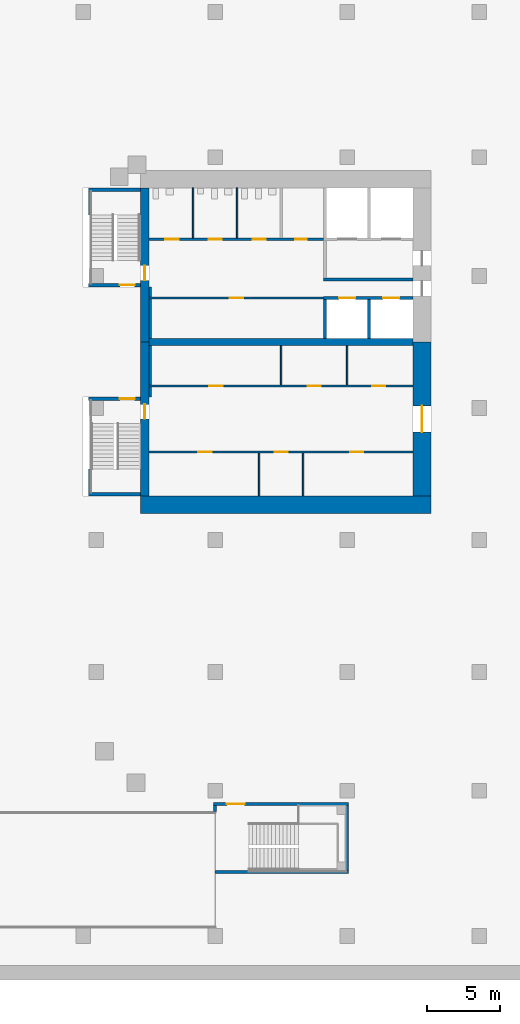
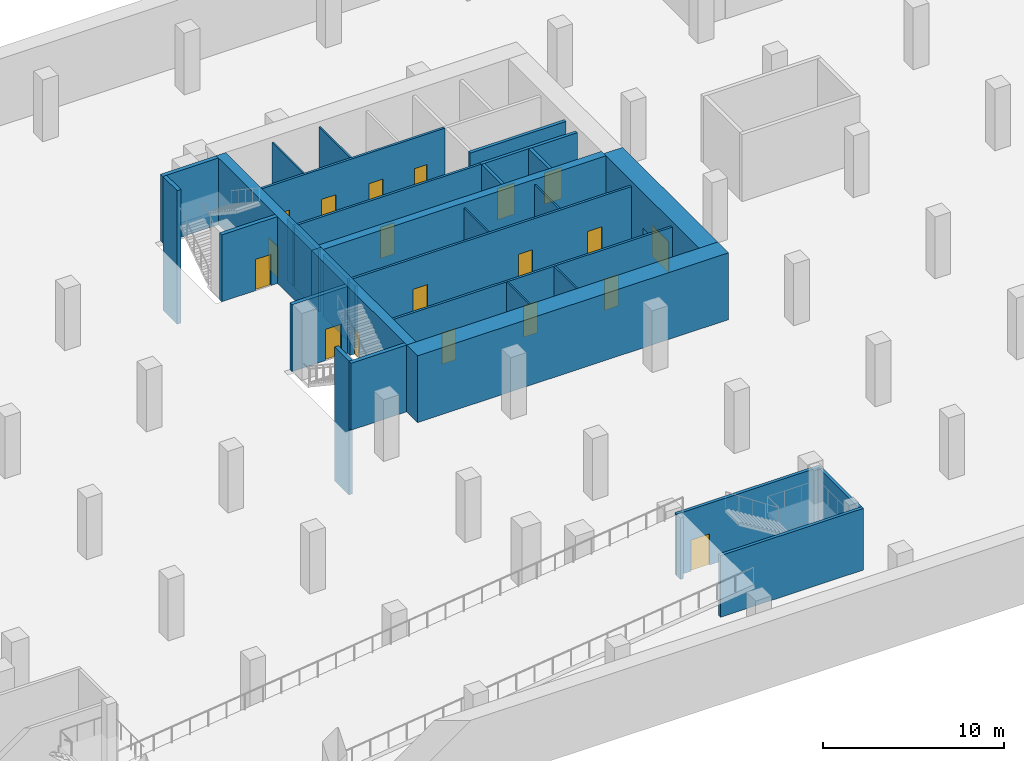
# One storey, part 7 of 16: 33 walls, 19 doors, 19 openings.
"""IFC4 building model written with IfcOpenShell, lengths in metres."""

import ifcopenshell
import ifcopenshell.guid

model = None  # the IFC model being written
_history = None  # IfcOwnerHistory: only IFC2X3 demands one
_inside = {}  # id of a spatial element -> (the spatial element, [elements in it])
_under = {}  # id of a project, library or spatial element -> (it, [spatial elements below it])
_declared = {}  # id of a project -> (the project, [libraries it declares])
_typed = {}  # id of a type object -> (the type object, [elements of that type])
_made_of = {}  # id of a material, layer set ... -> (it, [elements and type objects made of it])


def new_model(schema):
    """Start an empty IFC model of exactly this schema.

    Asked for "IFC4X3", IfcOpenShell would pick the latest addendum, in which some entities
    have other attributes; the version numbers below select the first issue.
    IFC2X3 requires an IfcOwnerHistory on every rooted entity: one is made here for all.
    """
    global model, _history
    if schema == "IFC4X3":
        model = ifcopenshell.file(schema_version=(4, 3, 0, 0))
    else:
        model = ifcopenshell.file(schema=schema)
    _inside.clear()
    _under.clear()
    _declared.clear()
    _typed.clear()
    _made_of.clear()
    _history = None
    if model.schema == "IFC2X3":
        org = make("IfcOrganization", Name="unknown")
        user = make(
            "IfcPersonAndOrganization",
            ThePerson=make("IfcPerson", FamilyName="unknown"),
            TheOrganization=org,
        )
        app = make(
            "IfcApplication",
            ApplicationDeveloper=org,
            Version="unknown",
            ApplicationFullName="unknown",
            ApplicationIdentifier="unknown",
        )
        _history = make(
            "IfcOwnerHistory",
            OwningUser=user,
            OwningApplication=app,
            ChangeAction="ADDED",
            CreationDate=0,
        )
    return model


def make(cls, **values):
    """One entity of the class cls with the attributes given. An attribute that is None is left unset."""
    return model.create_entity(
        cls, **{name: value for name, value in values.items() if value is not None}
    )


def rooted(cls, **values):
    """An entity with a GlobalId (a new one), such as an element, a storey or a relation."""
    return make(cls, GlobalId=ifcopenshell.guid.new(), OwnerHistory=_history, **values)


def si_unit(unit_type, name, prefix=None):
    """IfcSIUnit, for example si_unit("LENGTHUNIT", "METRE", prefix="MILLI")."""
    return make("IfcSIUnit", UnitType=unit_type, Prefix=prefix, Name=name)


def assignment(units):
    """IfcUnitAssignment: the units of a project."""
    return None if units is None else make("IfcUnitAssignment", Units=units)


def point(xyz):
    """IfcCartesianPoint."""
    return None if xyz is None else make("IfcCartesianPoint", Coordinates=xyz)


def direction(xyz):
    """IfcDirection."""
    return None if xyz is None else make("IfcDirection", DirectionRatios=xyz)


def frame(location, z_axis=None, x_axis=None):
    """IfcAxis2Placement3D, a coordinate frame: its origin and axes. An axis left out is left unset."""
    return make(
        "IfcAxis2Placement3D",
        Location=point(location),
        Axis=direction(z_axis),
        RefDirection=direction(x_axis),
    )


def frame_2d(location, x_axis=None):
    """IfcAxis2Placement2D, a coordinate frame in the plane: its origin and x axis."""
    return make(
        "IfcAxis2Placement2D", Location=point(location), RefDirection=direction(x_axis)
    )


def origin():
    """The frame at (0, 0, 0) with its axes left unset."""
    return frame((0.0, 0.0, 0.0))


def place(relative_to, where):
    """IfcLocalPlacement: puts the frame where relative to a parent placement (None: the world)."""
    return make(
        "IfcLocalPlacement", PlacementRelTo=relative_to, RelativePlacement=where
    )


def context(
    kind, dimensions, precision=None, world=None, true_north=None, identifier=None
):
    """IfcGeometricRepresentationContext, for example the 3D "Model" context."""
    return make(
        "IfcGeometricRepresentationContext",
        ContextIdentifier=identifier,
        ContextType=kind,
        CoordinateSpaceDimension=dimensions,
        Precision=precision,
        WorldCoordinateSystem=world,
        TrueNorth=true_north,
    )


def subcontext(parent, identifier, kind, view, scale=None):
    """IfcGeometricRepresentationSubContext, for example "Body" below "Model"."""
    return make(
        "IfcGeometricRepresentationSubContext",
        ContextIdentifier=identifier,
        ContextType=kind,
        ParentContext=parent,
        TargetScale=scale,
        TargetView=view,
    )


def project(units=None, contexts=None):
    """IfcProject with its units and contexts."""
    return rooted(
        "IfcProject",
        Name="project",
        RepresentationContexts=contexts,
        UnitsInContext=assignment(units),
    )


def spatial(cls, under=None, at=None, **own):
    """A site, building, storey or space (cls), placed at a placement, below another one or the project."""
    s = rooted(cls, ObjectPlacement=at, **own)
    if under is not None:
        _under.setdefault(under.id(), (under, []))[1].append(s)
    return s


def profile(cls, at=None, kind="AREA", **sizes):
    """A parametric profile (cls). Its sizes go by their IFC names, for example OverallWidth=200.0."""
    return make(cls, ProfileType=kind, Position=at, **sizes)


def rectangle(**sizes):
    """IfcRectangleProfileDef."""
    return profile("IfcRectangleProfileDef", **sizes)


def extrude(swept, where, along, depth):
    """IfcExtrudedAreaSolid: the profile swept, set in the frame where, extruded along a direction by depth."""
    return make(
        "IfcExtrudedAreaSolid",
        SweptArea=swept,
        Position=where,
        ExtrudedDirection=direction(along),
        Depth=depth,
    )


def shape(context_of_items, identifier, shape_type, items):
    """IfcShapeRepresentation: the items that make up one representation, for example the "Body"."""
    return make(
        "IfcShapeRepresentation",
        ContextOfItems=context_of_items,
        RepresentationIdentifier=identifier,
        RepresentationType=shape_type,
        Items=items,
    )


def material(Name=None, Category=None):
    """IfcMaterial."""
    return make("IfcMaterial", Name=Name, Category=Category)


def layer(
    of_material, thickness, ventilated=None, Name=None, Category=None, Priority=None
):
    """IfcMaterialLayer: one layer of a wall or slab, of a material (None: an air gap)."""
    return make(
        "IfcMaterialLayer",
        Material=of_material,
        LayerThickness=thickness,
        IsVentilated=ventilated,
        Name=Name,
        Category=Category,
        Priority=Priority,
    )


def layer_set(layers, Name=None):
    """IfcMaterialLayerSet."""
    return make("IfcMaterialLayerSet", MaterialLayers=layers, LayerSetName=Name)


def made_of(thing, what):
    """Note that an element or type object is made of a material, layer set ...; save() writes the relation."""
    if what is not None:
        _made_of.setdefault(what.id(), (what, []))[1].append(thing)
    return thing


def type_object(cls, material=None, **own):
    """A type object (cls), such as IfcWallType, which elements share."""
    return made_of(rooted(cls, **own), material)


def element(
    cls,
    number,
    at=None,
    inside=None,
    cuts=None,
    type_object=None,
    material=None,
    context=None,
    identifier="Body",
    shape_type=None,
    held_by="IfcProductDefinitionShape",
    body=None,
    shapes=None,
    **own,
):
    """One element of the class cls, such as IfcWall. Its Tag is "e" and its number.

    at: its placement. inside: the storey or other place that contains it. cuts: it is an
    opening in that element (IfcRelVoidsElement). A single representation is given by context,
    identifier, shape_type and body (its items); several are given by shapes. held_by: the class
    of the entity that holds the representations. save() writes the other relations.
    """
    e = rooted(cls, Tag="e%d" % number, ObjectPlacement=at, **own)
    if body is not None:
        shapes = [shape(context, identifier, shape_type, body)]
    if shapes is not None:
        e.Representation = make(held_by, Representations=shapes)
    if inside is not None:
        _inside.setdefault(inside.id(), (inside, []))[1].append(e)
    if cuts is not None:
        rooted(
            "IfcRelVoidsElement", RelatingBuildingElement=cuts, RelatedOpeningElement=e
        )
    if type_object is not None:
        _typed.setdefault(type_object.id(), (type_object, []))[1].append(e)
    return made_of(e, material)


def fill(opening, filler):
    """IfcRelFillsElement: the door or window that sits in an opening."""
    return rooted(
        "IfcRelFillsElement",
        RelatingOpeningElement=opening,
        RelatedBuildingElement=filler,
    )


def aggregate(whole, parts):
    """IfcRelAggregates: a whole, such as a stair, and the parts it consists of."""
    return rooted("IfcRelAggregates", RelatingObject=whole, RelatedObjects=parts)


def save(model, path):
    """Write the relations noted so far, then the file.

    IfcRelAggregates (storeys below a building ...), IfcRelContainedInSpatialStructure (elements
    in a storey), IfcRelDefinesByType, IfcRelAssociatesMaterial and IfcRelDeclares: one each for
    every whole, place, type object, material and project.
    """
    for whole, parts in _under.values():
        aggregate(whole, parts)
    for where, things in _inside.values():
        rooted(
            "IfcRelContainedInSpatialStructure",
            RelatedElements=things,
            RelatingStructure=where,
        )
    for kind, things in _typed.values():
        rooted("IfcRelDefinesByType", RelatedObjects=things, RelatingType=kind)
    for what, things in _made_of.values():
        rooted("IfcRelAssociatesMaterial", RelatedObjects=things, RelatingMaterial=what)
    for by, libraries in _declared.values():
        rooted("IfcRelDeclares", RelatingContext=by, RelatedDefinitions=libraries)
    model.write(path)


model = new_model("IFC4")

# Units and contexts
model_context = context("Model", 3, precision=1e-05, world=origin(), true_north=direction((0.0, 1.0)))
body_context = subcontext(model_context, "Body", "Model", "MODEL_VIEW")
ifc_project = project(units=[si_unit("LENGTHUNIT", "METRE"), si_unit("AREAUNIT", "SQUARE_METRE"), si_unit("VOLUMEUNIT", "CUBIC_METRE"), si_unit("PLANEANGLEUNIT", "RADIAN"), si_unit("MASSUNIT", "GRAM", prefix="KILO")], contexts=[model_context])

# Site, building, storey
site_placement = place(None, origin())
site = spatial("IfcSite", under=ifc_project, at=site_placement, CompositionType="ELEMENT")
building_placement = place(site_placement, origin())
building = spatial("IfcBuilding", under=site, at=building_placement, Name="Cinnabar Reach Civic Tower", CompositionType="ELEMENT")
storey_placement = place(building_placement, frame((0.0, 0.0, -9.5)))
storey = spatial("IfcBuildingStorey", under=building, at=storey_placement, Name="B2", CompositionType="ELEMENT", Elevation=-9.5)

# Wall
ifc_material_1 = material(Name="Concrete C70", Category="concrete")
ifc_layer_1 = layer(ifc_material_1, 1.2)
ifc_layer_set_1 = layer_set([ifc_layer_1], Name="Core wall 1200 EI 180")
wall_type_1 = type_object("IfcWallType", Name="Core wall 1200 EI 180", PredefinedType="SOLIDWALL", material=ifc_layer_set_1)
wall_1_placement = place(storey_placement, frame((3.9, 20.4, 0.0), z_axis=(0.0, 0.0, 1.0), x_axis=(1.0, 0.0, 0.0)))
element("IfcWall", 1, at=wall_1_placement, inside=storey, type_object=wall_type_1, Name="Core wall T1 B2 S", PredefinedType="SOLIDWALL", context=body_context, shape_type="SweptSolid", body=[
    extrude(rectangle(XDim=19.8, YDim=1.2, at=frame_2d((9.9, 0.0))), origin(), (0.0, 0.0, 1.0), 4.5),
])

# Wall, opening, door
wall_2_placement = place(storey_placement, frame((23.1, 21.0, 0.0), z_axis=(0.0, 0.0, 1.0), x_axis=(0.0, 1.0, 0.0)))
wall_2 = element("IfcWall", 2, at=wall_2_placement, inside=storey, type_object=wall_type_1, Name="Core wall T1 B2 E", PredefinedType="SOLIDWALL", context=body_context, shape_type="SweptSolid", body=[
    extrude(rectangle(XDim=10.5, YDim=1.2, at=frame_2d((5.25, 0.0))), origin(), (0.0, 0.0, 1.0), 4.5),
])
opening_1_placement = place(wall_2_placement, frame((4.35, 0.0, 0.0)))
opening_1 = element("IfcOpeningElement", 3, at=opening_1_placement, cuts=wall_2, Name="Opening D3026", PredefinedType="OPENING", context=body_context, shape_type="SweptSolid", body=[
    extrude(rectangle(XDim=1.8, YDim=2.1, at=frame_2d((0.9, 1.05))), frame((0.0, 0.61, 0.0), z_axis=(0.0, -1.0, 0.0), x_axis=(1.0, 0.0, 0.0)), (0.0, 0.0, 1.0), 1.22),
])
ifc_material_2 = material(Name="Timber door leaf in steel frame", Category="steel")
door_type_1 = type_object("IfcDoorType", Name="Double swing door 1800 x 2100 T1", OperationType="DOUBLE_DOOR_DOUBLE_SWING", PredefinedType="DOOR", material=ifc_material_2)
door_1_placement = place(opening_1_placement, frame((1.8, 0.0, 0.0), z_axis=(0.0, 0.0, 1.0), x_axis=(-1.0, 0.0, 0.0)))
door_1 = element("IfcDoor", 4, at=door_1_placement, inside=storey, type_object=door_type_1, Name="Door D3026", OperationType="DOUBLE_DOOR_DOUBLE_SWING", OverallHeight=2.1, OverallWidth=1.8, PredefinedType="DOOR", context=body_context, shape_type="SweptSolid", body=[
    extrude(rectangle(XDim=1.8, YDim=2.1, at=frame_2d((0.9, 1.05))), frame((0.0, 0.025, 0.0), z_axis=(0.0, -1.0, 0.0), x_axis=(1.0, 0.0, 0.0)), (0.0, 0.0, 1.0), 0.05),
])
fill(opening_1, door_1)

# Wall
ifc_material_3 = material(Name="Concrete C60", Category="concrete")
ifc_layer_2 = layer(ifc_material_3, 0.5)
ifc_layer_set_2 = layer_set([ifc_layer_2], Name="Core wall 500 EI 180")
wall_type_2 = type_object("IfcWallType", Name="Core wall 500 EI 180", PredefinedType="SOLIDWALL", material=ifc_layer_set_2)
wall_3_placement = place(storey_placement, frame((4.5, 31.5, 0.0), z_axis=(0.0, 0.0, 1.0), x_axis=(1.0, 0.0, 0.0)))
element("IfcWall", 5, at=wall_3_placement, inside=storey, type_object=wall_type_2, Name="Core spine wall T1 B2", PredefinedType="SOLIDWALL", context=body_context, shape_type="SweptSolid", body=[
    extrude(rectangle(XDim=18.0, YDim=0.5, at=frame_2d((9.0, 0.0))), origin(), (0.0, 0.0, 1.0), 4.5),
])

# Wall, opening, door
ifc_layer_3 = layer(ifc_material_1, 0.6)
ifc_layer_set_3 = layer_set([ifc_layer_3], Name="Core wall 600 EI 180")
wall_type_3 = type_object("IfcWallType", Name="Core wall 600 EI 180", PredefinedType="SOLIDWALL", material=ifc_layer_set_3)
wall_4_placement = place(storey_placement, frame((4.2, 42.0, 0.0), z_axis=(0.0, 0.0, 1.0), x_axis=(0.0, -1.0, 0.0)))
wall_4 = element("IfcWall", 6, at=wall_4_placement, inside=storey, type_object=wall_type_3, Name="Core wall T1 B2 W", PredefinedType="SOLIDWALL", context=body_context, shape_type="SweptSolid", body=[
    extrude(rectangle(XDim=10.5, YDim=0.6, at=frame_2d((5.25, 0.0))), origin(), (0.0, 0.0, 1.0), 4.5),
])
opening_2_placement = place(wall_4_placement, frame((5.3, 0.0, 0.0)))
opening_2 = element("IfcOpeningElement", 7, at=opening_2_placement, cuts=wall_4, Name="Opening D3020", PredefinedType="OPENING", context=body_context, shape_type="SweptSolid", body=[
    extrude(rectangle(XDim=1.0, YDim=2.1, at=frame_2d((0.5, 1.05))), frame((0.0, 0.31, 0.0), z_axis=(0.0, -1.0, 0.0), x_axis=(1.0, 0.0, 0.0)), (0.0, 0.0, 1.0), 0.62),
])
door_type_2 = type_object("IfcDoorType", Name="Stair door 1000 x 2100 T1", OperationType="SINGLE_SWING_LEFT", PredefinedType="DOOR", material=ifc_material_2)
door_2_placement = place(opening_2_placement, frame((1.0, 0.0, 0.0), z_axis=(0.0, 0.0, 1.0), x_axis=(-1.0, 0.0, 0.0)))
door_2 = element("IfcDoor", 8, at=door_2_placement, inside=storey, type_object=door_type_2, Name="Door D3020", OperationType="SINGLE_SWING_LEFT", OverallHeight=2.1, OverallWidth=1.0, PredefinedType="DOOR", context=body_context, shape_type="SweptSolid", body=[
    extrude(rectangle(XDim=1.0, YDim=2.1, at=frame_2d((0.5, 1.05))), frame((0.0, 0.025, 0.0), z_axis=(0.0, -1.0, 0.0), x_axis=(1.0, 0.0, 0.0)), (0.0, 0.0, 1.0), 0.05),
])
fill(opening_2, door_2)

wall_5_placement = place(storey_placement, frame((4.2, 31.5, 0.0), z_axis=(0.0, 0.0, 1.0), x_axis=(0.0, -1.0, 0.0)))
wall_5 = element("IfcWall", 9, at=wall_5_placement, inside=storey, type_object=wall_type_3, Name="Core wall T1 B2 W2", PredefinedType="SOLIDWALL", context=body_context, shape_type="SweptSolid", body=[
    extrude(rectangle(XDim=10.5, YDim=0.6, at=frame_2d((5.25, 0.0))), origin(), (0.0, 0.0, 1.0), 4.5),
])
opening_3_placement = place(wall_5_placement, frame((4.25, 0.0, 0.0)))
opening_3 = element("IfcOpeningElement", 10, at=opening_3_placement, cuts=wall_5, Name="Opening D3018", PredefinedType="OPENING", context=body_context, shape_type="SweptSolid", body=[
    extrude(rectangle(XDim=1.0, YDim=2.1, at=frame_2d((0.5, 1.05))), frame((0.0, 0.31, 0.0), z_axis=(0.0, -1.0, 0.0), x_axis=(1.0, 0.0, 0.0)), (0.0, 0.0, 1.0), 0.62),
])
door_3_placement = place(opening_3_placement, frame((1.0, 0.0, 0.0), z_axis=(0.0, 0.0, 1.0), x_axis=(-1.0, 0.0, 0.0)))
door_3 = element("IfcDoor", 11, at=door_3_placement, inside=storey, type_object=door_type_2, Name="Door D3018", OperationType="SINGLE_SWING_RIGHT", OverallHeight=2.1, OverallWidth=1.0, PredefinedType="DOOR", context=body_context, shape_type="SweptSolid", body=[
    extrude(rectangle(XDim=1.0, YDim=2.1, at=frame_2d((0.5, 1.05))), frame((0.0, 0.025, 0.0), z_axis=(0.0, -1.0, 0.0), x_axis=(1.0, 0.0, 0.0)), (0.0, 0.0, 1.0), 0.05),
])
fill(opening_3, door_3)

# Wall, openings, doors
ifc_material_4 = material(Name="Gypsum board on steel studs, double layer", Category="steel")
ifc_layer_4 = layer(ifc_material_4, 0.15)
ifc_layer_set_4 = layer_set([ifc_layer_4], Name="Corridor wall 150 T1")
wall_type_4 = type_object("IfcWallType", Name="Corridor wall 150 T1", PredefinedType="PARTITIONING", material=ifc_layer_set_4)
wall_6_placement = place(storey_placement, frame((4.5, 24.0, 0.0), z_axis=(0.0, 0.0, 1.0), x_axis=(1.0, 0.0, 0.0)))
wall_6 = element("IfcWall", 12, at=wall_6_placement, inside=storey, type_object=wall_type_4, Name="Corridor wall 9", PredefinedType="PARTITIONING", context=body_context, shape_type="SweptSolid", body=[
    extrude(rectangle(XDim=18.0, YDim=0.15, at=frame_2d((9.0, 0.0))), origin(), (0.0, 0.0, 1.0), 4.15),
])
opening_4_placement = place(wall_6_placement, frame((3.35, 0.0, 0.0)))
opening_4 = element("IfcOpeningElement", 13, at=opening_4_placement, cuts=wall_6, Name="Opening D3029", PredefinedType="OPENING", context=body_context, shape_type="SweptSolid", body=[
    extrude(rectangle(XDim=0.9, YDim=2.1, at=frame_2d((0.45, 1.05))), frame((0.0, 0.085, 0.0), z_axis=(0.0, -1.0, 0.0), x_axis=(1.0, 0.0, 0.0)), (0.0, 0.0, 1.0), 0.17),
])
opening_5_placement = place(wall_6_placement, frame((8.55, 0.0, 0.0)))
opening_5 = element("IfcOpeningElement", 14, at=opening_5_placement, cuts=wall_6, Name="Opening D3030", PredefinedType="OPENING", context=body_context, shape_type="SweptSolid", body=[
    extrude(rectangle(XDim=0.9, YDim=2.1, at=frame_2d((0.45, 1.05))), frame((0.0, 0.085, 0.0), z_axis=(0.0, -1.0, 0.0), x_axis=(1.0, 0.0, 0.0)), (0.0, 0.0, 1.0), 0.17),
])
opening_6_placement = place(wall_6_placement, frame((13.7, 0.0, 0.0)))
opening_6 = element("IfcOpeningElement", 15, at=opening_6_placement, cuts=wall_6, Name="Opening D3031", PredefinedType="OPENING", context=body_context, shape_type="SweptSolid", body=[
    extrude(rectangle(XDim=0.9, YDim=2.1, at=frame_2d((0.45, 1.05))), frame((0.0, 0.085, 0.0), z_axis=(0.0, -1.0, 0.0), x_axis=(1.0, 0.0, 0.0)), (0.0, 0.0, 1.0), 0.17),
])
door_type_3 = type_object("IfcDoorType", Name="Single swing door 900 x 2100 corridor T1", OperationType="SINGLE_SWING_LEFT", PredefinedType="DOOR", material=ifc_material_2)
door_4_placement = place(opening_4_placement, frame((0.9, 0.0, 0.0), z_axis=(0.0, 0.0, 1.0), x_axis=(-1.0, 0.0, 0.0)))
door_4 = element("IfcDoor", 16, at=door_4_placement, inside=storey, type_object=door_type_3, Name="Door D3029", OperationType="SINGLE_SWING_LEFT", OverallHeight=2.1, OverallWidth=0.9, PredefinedType="DOOR", context=body_context, shape_type="SweptSolid", body=[
    extrude(rectangle(XDim=0.9, YDim=2.1, at=frame_2d((0.45, 1.05))), frame((0.0, 0.025, 0.0), z_axis=(0.0, -1.0, 0.0), x_axis=(1.0, 0.0, 0.0)), (0.0, 0.0, 1.0), 0.05),
])
fill(opening_4, door_4)
door_5_placement = place(opening_5_placement, frame((0.9, 0.0, 0.0), z_axis=(0.0, 0.0, 1.0), x_axis=(-1.0, 0.0, 0.0)))
door_5 = element("IfcDoor", 17, at=door_5_placement, inside=storey, type_object=door_type_3, Name="Door D3030", OperationType="SINGLE_SWING_LEFT", OverallHeight=2.1, OverallWidth=0.9, PredefinedType="DOOR", context=body_context, shape_type="SweptSolid", body=[
    extrude(rectangle(XDim=0.9, YDim=2.1, at=frame_2d((0.45, 1.05))), frame((0.0, 0.025, 0.0), z_axis=(0.0, -1.0, 0.0), x_axis=(1.0, 0.0, 0.0)), (0.0, 0.0, 1.0), 0.05),
])
fill(opening_5, door_5)
door_6_placement = place(opening_6_placement, frame((0.9, 0.0, 0.0), z_axis=(0.0, 0.0, 1.0), x_axis=(-1.0, 0.0, 0.0)))
door_6 = element("IfcDoor", 18, at=door_6_placement, inside=storey, type_object=door_type_3, Name="Door D3031", OperationType="SINGLE_SWING_RIGHT", OverallHeight=2.1, OverallWidth=0.9, PredefinedType="DOOR", context=body_context, shape_type="SweptSolid", body=[
    extrude(rectangle(XDim=0.9, YDim=2.1, at=frame_2d((0.45, 1.05))), frame((0.0, 0.025, 0.0), z_axis=(0.0, -1.0, 0.0), x_axis=(1.0, 0.0, 0.0)), (0.0, 0.0, 1.0), 0.05),
])
fill(opening_6, door_6)

wall_7_placement = place(storey_placement, frame((4.5, 28.5, 0.0), z_axis=(0.0, 0.0, 1.0), x_axis=(1.0, 0.0, 0.0)))
wall_7 = element("IfcWall", 19, at=wall_7_placement, inside=storey, type_object=wall_type_4, Name="Corridor wall 10", PredefinedType="PARTITIONING", context=body_context, shape_type="SweptSolid", body=[
    extrude(rectangle(XDim=18.0, YDim=0.15, at=frame_2d((9.0, 0.0))), origin(), (0.0, 0.0, 1.0), 4.15),
])
opening_7_placement = place(wall_7_placement, frame((4.1, 0.0, 0.0)))
opening_7 = element("IfcOpeningElement", 20, at=opening_7_placement, cuts=wall_7, Name="Opening D3032", PredefinedType="OPENING", context=body_context, shape_type="SweptSolid", body=[
    extrude(rectangle(XDim=0.9, YDim=2.1, at=frame_2d((0.45, 1.05))), frame((0.0, 0.085, 0.0), z_axis=(0.0, -1.0, 0.0), x_axis=(1.0, 0.0, 0.0)), (0.0, 0.0, 1.0), 0.17),
])
opening_8_placement = place(wall_7_placement, frame((10.8, 0.0, 0.0)))
opening_8 = element("IfcOpeningElement", 21, at=opening_8_placement, cuts=wall_7, Name="Opening D3033", PredefinedType="OPENING", context=body_context, shape_type="SweptSolid", body=[
    extrude(rectangle(XDim=0.9, YDim=2.1, at=frame_2d((0.45, 1.05))), frame((0.0, 0.085, 0.0), z_axis=(0.0, -1.0, 0.0), x_axis=(1.0, 0.0, 0.0)), (0.0, 0.0, 1.0), 0.17),
])
opening_9_placement = place(wall_7_placement, frame((15.2, 0.0, 0.0)))
opening_9 = element("IfcOpeningElement", 22, at=opening_9_placement, cuts=wall_7, Name="Opening D3034", PredefinedType="OPENING", context=body_context, shape_type="SweptSolid", body=[
    extrude(rectangle(XDim=0.9, YDim=2.1, at=frame_2d((0.45, 1.05))), frame((0.0, 0.085, 0.0), z_axis=(0.0, -1.0, 0.0), x_axis=(1.0, 0.0, 0.0)), (0.0, 0.0, 1.0), 0.17),
])
door_7_placement = place(opening_7_placement, origin())
door_7 = element("IfcDoor", 23, at=door_7_placement, inside=storey, type_object=door_type_3, Name="Door D3032", OperationType="SINGLE_SWING_RIGHT", OverallHeight=2.1, OverallWidth=0.9, PredefinedType="DOOR", context=body_context, shape_type="SweptSolid", body=[
    extrude(rectangle(XDim=0.9, YDim=2.1, at=frame_2d((0.45, 1.05))), frame((0.0, 0.025, 0.0), z_axis=(0.0, -1.0, 0.0), x_axis=(1.0, 0.0, 0.0)), (0.0, 0.0, 1.0), 0.05),
])
fill(opening_7, door_7)
door_8_placement = place(opening_8_placement, origin())
door_8 = element("IfcDoor", 24, at=door_8_placement, inside=storey, type_object=door_type_3, Name="Door D3033", OperationType="SINGLE_SWING_RIGHT", OverallHeight=2.1, OverallWidth=0.9, PredefinedType="DOOR", context=body_context, shape_type="SweptSolid", body=[
    extrude(rectangle(XDim=0.9, YDim=2.1, at=frame_2d((0.45, 1.05))), frame((0.0, 0.025, 0.0), z_axis=(0.0, -1.0, 0.0), x_axis=(1.0, 0.0, 0.0)), (0.0, 0.0, 1.0), 0.05),
])
fill(opening_8, door_8)
door_9_placement = place(opening_9_placement, origin())
door_9 = element("IfcDoor", 25, at=door_9_placement, inside=storey, type_object=door_type_3, Name="Door D3034", OperationType="SINGLE_SWING_RIGHT", OverallHeight=2.1, OverallWidth=0.9, PredefinedType="DOOR", context=body_context, shape_type="SweptSolid", body=[
    extrude(rectangle(XDim=0.9, YDim=2.1, at=frame_2d((0.45, 1.05))), frame((0.0, 0.025, 0.0), z_axis=(0.0, -1.0, 0.0), x_axis=(1.0, 0.0, 0.0)), (0.0, 0.0, 1.0), 0.05),
])
fill(opening_9, door_9)

# Wall, opening, door
wall_8_placement = place(storey_placement, frame((4.5, 34.5, 0.0), z_axis=(0.0, 0.0, 1.0), x_axis=(1.0, 0.0, 0.0)))
wall_8 = element("IfcWall", 26, at=wall_8_placement, inside=storey, type_object=wall_type_4, Name="Corridor wall 11", PredefinedType="PARTITIONING", context=body_context, shape_type="SweptSolid", body=[
    extrude(rectangle(XDim=11.9, YDim=0.15, at=frame_2d((5.95, 0.0))), origin(), (0.0, 0.0, 1.0), 4.15),
])
opening_10_placement = place(wall_8_placement, frame((5.5, 0.0, 0.0)))
opening_10 = element("IfcOpeningElement", 27, at=opening_10_placement, cuts=wall_8, Name="Opening D3035", PredefinedType="OPENING", context=body_context, shape_type="SweptSolid", body=[
    extrude(rectangle(XDim=0.9, YDim=2.1, at=frame_2d((0.45, 1.05))), frame((0.0, 0.085, 0.0), z_axis=(0.0, -1.0, 0.0), x_axis=(1.0, 0.0, 0.0)), (0.0, 0.0, 1.0), 0.17),
])
door_10_placement = place(opening_10_placement, frame((0.9, 0.0, 0.0), z_axis=(0.0, 0.0, 1.0), x_axis=(-1.0, 0.0, 0.0)))
door_10 = element("IfcDoor", 28, at=door_10_placement, inside=storey, type_object=door_type_3, Name="Door D3035", OperationType="SINGLE_SWING_RIGHT", OverallHeight=2.1, OverallWidth=0.9, PredefinedType="DOOR", context=body_context, shape_type="SweptSolid", body=[
    extrude(rectangle(XDim=0.9, YDim=2.1, at=frame_2d((0.45, 1.05))), frame((0.0, 0.025, 0.0), z_axis=(0.0, -1.0, 0.0), x_axis=(1.0, 0.0, 0.0)), (0.0, 0.0, 1.0), 0.05),
])
fill(opening_10, door_10)

# Wall, openings, doors
wall_9_placement = place(storey_placement, frame((4.5, 38.5, 0.0), z_axis=(0.0, 0.0, 1.0), x_axis=(1.0, 0.0, 0.0)))
wall_9 = element("IfcWall", 29, at=wall_9_placement, inside=storey, type_object=wall_type_4, Name="Corridor wall 12", PredefinedType="PARTITIONING", context=body_context, shape_type="SweptSolid", body=[
    extrude(rectangle(XDim=11.9, YDim=0.15, at=frame_2d((5.95, 0.0))), origin(), (0.0, 0.0, 1.0), 4.15),
])
opening_11_placement = place(wall_9_placement, frame((1.1, 0.0, 0.0)))
opening_11 = element("IfcOpeningElement", 30, at=opening_11_placement, cuts=wall_9, Name="Opening D3036", PredefinedType="OPENING", context=body_context, shape_type="SweptSolid", body=[
    extrude(rectangle(XDim=0.9, YDim=2.1, at=frame_2d((0.45, 1.05))), frame((0.0, 0.085, 0.0), z_axis=(0.0, -1.0, 0.0), x_axis=(1.0, 0.0, 0.0)), (0.0, 0.0, 1.0), 0.17),
])
opening_12_placement = place(wall_9_placement, frame((4.05, 0.0, 0.0)))
opening_12 = element("IfcOpeningElement", 31, at=opening_12_placement, cuts=wall_9, Name="Opening D3037", PredefinedType="OPENING", context=body_context, shape_type="SweptSolid", body=[
    extrude(rectangle(XDim=0.9, YDim=2.1, at=frame_2d((0.45, 1.05))), frame((0.0, 0.085, 0.0), z_axis=(0.0, -1.0, 0.0), x_axis=(1.0, 0.0, 0.0)), (0.0, 0.0, 1.0), 0.17),
])
opening_13_placement = place(wall_9_placement, frame((7.05, 0.0, 0.0)))
opening_13 = element("IfcOpeningElement", 32, at=opening_13_placement, cuts=wall_9, Name="Opening D3038", PredefinedType="OPENING", context=body_context, shape_type="SweptSolid", body=[
    extrude(rectangle(XDim=0.9, YDim=2.1, at=frame_2d((0.45, 1.05))), frame((0.0, 0.085, 0.0), z_axis=(0.0, -1.0, 0.0), x_axis=(1.0, 0.0, 0.0)), (0.0, 0.0, 1.0), 0.17),
])
opening_14_placement = place(wall_9_placement, frame((9.95, 0.0, 0.0)))
opening_14 = element("IfcOpeningElement", 33, at=opening_14_placement, cuts=wall_9, Name="Opening D3039", PredefinedType="OPENING", context=body_context, shape_type="SweptSolid", body=[
    extrude(rectangle(XDim=0.8, YDim=2.1, at=frame_2d((0.4, 1.05))), frame((0.0, 0.085, 0.0), z_axis=(0.0, -1.0, 0.0), x_axis=(1.0, 0.0, 0.0)), (0.0, 0.0, 1.0), 0.17),
])
door_type_4 = type_object("IfcDoorType", Name="Riser access door 800 x 2100 T1", OperationType="SINGLE_SWING_LEFT", PredefinedType="DOOR", material=ifc_material_2)
door_11_placement = place(opening_14_placement, origin())
door_11 = element("IfcDoor", 34, at=door_11_placement, inside=storey, type_object=door_type_4, Name="Door D3039", OperationType="SINGLE_SWING_LEFT", OverallHeight=2.1, OverallWidth=0.8, PredefinedType="DOOR", context=body_context, shape_type="SweptSolid", body=[
    extrude(rectangle(XDim=0.8, YDim=2.1, at=frame_2d((0.4, 1.05))), frame((0.0, 0.025, 0.0), z_axis=(0.0, -1.0, 0.0), x_axis=(1.0, 0.0, 0.0)), (0.0, 0.0, 1.0), 0.05),
])
fill(opening_14, door_11)
door_12_placement = place(opening_11_placement, origin())
door_12 = element("IfcDoor", 35, at=door_12_placement, inside=storey, type_object=door_type_3, Name="Door D3036", OperationType="SINGLE_SWING_RIGHT", OverallHeight=2.1, OverallWidth=0.9, PredefinedType="DOOR", context=body_context, shape_type="SweptSolid", body=[
    extrude(rectangle(XDim=0.9, YDim=2.1, at=frame_2d((0.45, 1.05))), frame((0.0, 0.025, 0.0), z_axis=(0.0, -1.0, 0.0), x_axis=(1.0, 0.0, 0.0)), (0.0, 0.0, 1.0), 0.05),
])
fill(opening_11, door_12)
door_13_placement = place(opening_12_placement, origin())
door_13 = element("IfcDoor", 36, at=door_13_placement, inside=storey, type_object=door_type_3, Name="Door D3037", OperationType="SINGLE_SWING_LEFT", OverallHeight=2.1, OverallWidth=0.9, PredefinedType="DOOR", context=body_context, shape_type="SweptSolid", body=[
    extrude(rectangle(XDim=0.9, YDim=2.1, at=frame_2d((0.45, 1.05))), frame((0.0, 0.025, 0.0), z_axis=(0.0, -1.0, 0.0), x_axis=(1.0, 0.0, 0.0)), (0.0, 0.0, 1.0), 0.05),
])
fill(opening_12, door_13)
door_14_placement = place(opening_13_placement, origin())
door_14 = element("IfcDoor", 37, at=door_14_placement, inside=storey, type_object=door_type_3, Name="Door D3038", OperationType="SINGLE_SWING_RIGHT", OverallHeight=2.1, OverallWidth=0.9, PredefinedType="DOOR", context=body_context, shape_type="SweptSolid", body=[
    extrude(rectangle(XDim=0.9, YDim=2.1, at=frame_2d((0.45, 1.05))), frame((0.0, 0.025, 0.0), z_axis=(0.0, -1.0, 0.0), x_axis=(1.0, 0.0, 0.0)), (0.0, 0.0, 1.0), 0.05),
])
fill(opening_13, door_14)

# Walls
wall_10_placement = place(storey_placement, frame((4.575, 34.575, 0.0), z_axis=(0.0, 0.0, 1.0), x_axis=(0.0, 1.0, 0.0)))
element("IfcWall", 38, at=wall_10_placement, inside=storey, type_object=wall_type_4, Name="Corridor wall 13", PredefinedType="PARTITIONING", context=body_context, shape_type="SweptSolid", body=[
    extrude(rectangle(XDim=0.675, YDim=0.15, at=frame_2d((0.3375, 0.0))), origin(), (0.0, 0.0, 1.0), 4.15),
])
wall_11_placement = place(storey_placement, frame((4.575, 31.75, 0.0), z_axis=(0.0, 0.0, 1.0), x_axis=(0.0, 1.0, 0.0)))
element("IfcWall", 39, at=wall_11_placement, inside=storey, type_object=wall_type_4, Name="Corridor wall 14", PredefinedType="PARTITIONING", context=body_context, shape_type="SweptSolid", body=[
    extrude(rectangle(XDim=2.675, YDim=0.15, at=frame_2d((1.3375, 0.0))), origin(), (0.0, 0.0, 1.0), 4.15),
])
wall_12_placement = place(storey_placement, frame((4.575, 27.75, 0.0), z_axis=(0.0, 0.0, 1.0), x_axis=(0.0, 1.0, 0.0)))
element("IfcWall", 40, at=wall_12_placement, inside=storey, type_object=wall_type_4, Name="Corridor wall 15", PredefinedType="PARTITIONING", context=body_context, shape_type="SweptSolid", body=[
    extrude(rectangle(XDim=0.675, YDim=0.15, at=frame_2d((0.3375, 0.0))), origin(), (0.0, 0.0, 1.0), 4.15),
])
wall_13_placement = place(storey_placement, frame((4.575, 28.575, 0.0), z_axis=(0.0, 0.0, 1.0), x_axis=(0.0, 1.0, 0.0)))
element("IfcWall", 41, at=wall_13_placement, inside=storey, type_object=wall_type_4, Name="Corridor wall 16", PredefinedType="PARTITIONING", context=body_context, shape_type="SweptSolid", body=[
    extrude(rectangle(XDim=2.675, YDim=0.15, at=frame_2d((1.3375, 0.0))), origin(), (0.0, 0.0, 1.0), 4.15),
])

# Wall, openings, doors
ifc_material_5 = material(Name="Blockwork", Category="masonry")
ifc_layer_5 = layer(ifc_material_5, 0.2)
ifc_layer_set_5 = layer_set([ifc_layer_5], Name="Lift shaft wall 200 T1")
wall_type_5 = type_object("IfcWallType", Name="Lift shaft wall 200 T1", PredefinedType="PARTITIONING", material=ifc_layer_set_5)
wall_14_placement = place(storey_placement, frame((16.4, 34.5, 0.0), z_axis=(0.0, 0.0, 1.0), x_axis=(1.0, 0.0, 0.0)))
wall_14 = element("IfcWall", 42, at=wall_14_placement, inside=storey, type_object=wall_type_5, Name="Lift shaft wall 4", PredefinedType="PARTITIONING", context=body_context, shape_type="SweptSolid", body=[
    extrude(rectangle(XDim=6.1, YDim=0.2, at=frame_2d((3.05, 0.0))), origin(), (0.0, 0.0, 1.0), 4.15),
])
opening_15_placement = place(wall_14_placement, frame((1.05, 0.0, 0.0)))
opening_15 = element("IfcOpeningElement", 43, at=opening_15_placement, cuts=wall_14, Name="Opening D3022", PredefinedType="OPENING", context=body_context, shape_type="SweptSolid", body=[
    extrude(rectangle(XDim=1.1, YDim=2.1, at=frame_2d((0.55, 1.05))), frame((0.0, 0.11, 0.0), z_axis=(0.0, -1.0, 0.0), x_axis=(1.0, 0.0, 0.0)), (0.0, 0.0, 1.0), 0.22),
])
opening_16_placement = place(wall_14_placement, frame((4.05, 0.0, 0.0)))
opening_16 = element("IfcOpeningElement", 44, at=opening_16_placement, cuts=wall_14, Name="Opening D3023", PredefinedType="OPENING", context=body_context, shape_type="SweptSolid", body=[
    extrude(rectangle(XDim=1.1, YDim=2.1, at=frame_2d((0.55, 1.05))), frame((0.0, 0.11, 0.0), z_axis=(0.0, -1.0, 0.0), x_axis=(1.0, 0.0, 0.0)), (0.0, 0.0, 1.0), 0.22),
])
ifc_material_6 = material(Name="Stainless steel sliding door", Category="steel")
door_type_5 = type_object("IfcDoorType", Name="Lift landing door 1100 x 2100 T1", OperationType="SLIDING_TO_LEFT", PredefinedType="DOOR", material=ifc_material_6)
door_15_placement = place(opening_15_placement, origin())
door_15 = element("IfcDoor", 45, at=door_15_placement, inside=storey, type_object=door_type_5, Name="Lift landing door SV1 B2", OperationType="SLIDING_TO_LEFT", OverallHeight=2.1, OverallWidth=1.1, PredefinedType="DOOR", context=body_context, shape_type="SweptSolid", body=[
    extrude(rectangle(XDim=1.1, YDim=2.1, at=frame_2d((0.55, 1.05))), frame((0.0, 0.025, 0.0), z_axis=(0.0, -1.0, 0.0), x_axis=(1.0, 0.0, 0.0)), (0.0, 0.0, 1.0), 0.05),
])
fill(opening_15, door_15)
door_16_placement = place(opening_16_placement, origin())
door_16 = element("IfcDoor", 46, at=door_16_placement, inside=storey, type_object=door_type_5, Name="Lift landing door SV2 B2", OperationType="SLIDING_TO_LEFT", OverallHeight=2.1, OverallWidth=1.1, PredefinedType="DOOR", context=body_context, shape_type="SweptSolid", body=[
    extrude(rectangle(XDim=1.1, YDim=2.1, at=frame_2d((0.55, 1.05))), frame((0.0, 0.025, 0.0), z_axis=(0.0, -1.0, 0.0), x_axis=(1.0, 0.0, 0.0)), (0.0, 0.0, 1.0), 0.05),
])
fill(opening_16, door_16)

# Walls
for number, where, z_axis, x_axis, name in (
    (47, (16.5, 31.75, 0.0), (0.0, 0.0, 1.0), (0.0, 1.0, 0.0), "Lift shaft wall 7"),
    (48, (19.5, 31.75, 0.0), (0.0, 0.0, 1.0), (0.0, 1.0, 0.0), "Lift shaft wall 8"),
):
    element("IfcWall", number, at=place(storey_placement, frame(where, z_axis=z_axis, x_axis=x_axis)), inside=storey, type_object=wall_type_5, Name=name, PredefinedType="PARTITIONING", context=body_context, shape_type="SweptSolid", body=[
        extrude(rectangle(XDim=2.65, YDim=0.2, at=frame_2d((1.325, 0.0))), origin(), (0.0, 0.0, 1.0), 4.15),
    ])
ifc_material_7 = material(Name="Gypsum board on steel studs", Category="steel")
ifc_layer_6 = layer(ifc_material_7, 0.1)
ifc_layer_set_6 = layer_set([ifc_layer_6], Name="Partition wall 100 T1")
wall_type_6 = type_object("IfcWallType", Name="Partition wall 100 T1", PredefinedType="PARTITIONING", material=ifc_layer_set_6)
for number, where, z_axis, x_axis, name in (
    (49, (7.5, 38.575, 0.0), (0.0, 0.0, 1.0), (0.0, 1.0, 0.0), "Partition wall 18"),
    (50, (10.5, 38.575, 0.0), (0.0, 0.0, 1.0), (0.0, 1.0, 0.0), "Partition wall 19"),
):
    element("IfcWall", number, at=place(storey_placement, frame(where, z_axis=z_axis, x_axis=x_axis)), inside=storey, type_object=wall_type_6, Name=name, PredefinedType="PARTITIONING", context=body_context, shape_type="SweptSolid", body=[
        extrude(rectangle(XDim=3.425, YDim=0.1, at=frame_2d((1.7125, 0.0))), origin(), (0.0, 0.0, 1.0), 4.15),
    ])
wall_15_placement = place(storey_placement, frame((12.0, 21.0, 0.0), z_axis=(0.0, 0.0, 1.0), x_axis=(0.0, 1.0, 0.0)))
element("IfcWall", 51, at=wall_15_placement, inside=storey, type_object=wall_type_6, Name="Partition wall 20", PredefinedType="PARTITIONING", context=body_context, shape_type="SweptSolid", body=[
    extrude(rectangle(XDim=2.925, YDim=0.1, at=frame_2d((1.4625, 0.0))), origin(), (0.0, 0.0, 1.0), 4.15),
])
wall_16_placement = place(storey_placement, frame((13.5, 28.575, 0.0), z_axis=(0.0, 0.0, 1.0), x_axis=(0.0, 1.0, 0.0)))
element("IfcWall", 52, at=wall_16_placement, inside=storey, type_object=wall_type_6, Name="Partition wall 21", PredefinedType="PARTITIONING", context=body_context, shape_type="SweptSolid", body=[
    extrude(rectangle(XDim=2.675, YDim=0.1, at=frame_2d((1.3375, 0.0))), origin(), (0.0, 0.0, 1.0), 4.15),
])
wall_17_placement = place(storey_placement, frame((15.0, 21.0, 0.0), z_axis=(0.0, 0.0, 1.0), x_axis=(0.0, 1.0, 0.0)))
element("IfcWall", 53, at=wall_17_placement, inside=storey, type_object=wall_type_6, Name="Partition wall 22", PredefinedType="PARTITIONING", context=body_context, shape_type="SweptSolid", body=[
    extrude(rectangle(XDim=2.925, YDim=0.1, at=frame_2d((1.4625, 0.0))), origin(), (0.0, 0.0, 1.0), 4.15),
])
wall_18_placement = place(storey_placement, frame((18.0, 28.575, 0.0), z_axis=(0.0, 0.0, 1.0), x_axis=(0.0, 1.0, 0.0)))
element("IfcWall", 54, at=wall_18_placement, inside=storey, type_object=wall_type_6, Name="Partition wall 23", PredefinedType="PARTITIONING", context=body_context, shape_type="SweptSolid", body=[
    extrude(rectangle(XDim=2.675, YDim=0.1, at=frame_2d((1.3375, 0.0))), origin(), (0.0, 0.0, 1.0), 4.15),
])
ifc_material_8 = material(Name="Concrete C40", Category="concrete")
ifc_layer_7 = layer(ifc_material_8, 0.2)
ifc_layer_set_7 = layer_set([ifc_layer_7], Name="Podium stair shaft wall 200 EI 120")
wall_type_7 = type_object("IfcWallType", Name="Podium stair shaft wall 200 EI 120", PredefinedType="SOLIDWALL", material=ifc_layer_set_7)
wall_19_placement = place(storey_placement, frame((18.0, -4.55, 0.0), z_axis=(0.0, 0.0, 1.0), x_axis=(0.0, 1.0, 0.0)))
element("IfcWall", 55, at=wall_19_placement, inside=storey, type_object=wall_type_7, Name="Wall B2 9", PredefinedType="SOLIDWALL", context=body_context, shape_type="SweptSolid", body=[
    extrude(rectangle(XDim=4.45, YDim=0.2, at=frame_2d((2.225, 0.0))), origin(), (0.0, 0.0, 1.0), 4.15),
])
wall_20_placement = place(storey_placement, frame((9.0, -4.65, 0.0), z_axis=(0.0, 0.0, 1.0), x_axis=(1.0, 0.0, 0.0)))
element("IfcWall", 56, at=wall_20_placement, inside=storey, type_object=wall_type_7, Name="Wall B2 10", PredefinedType="SOLIDWALL", context=body_context, shape_type="SweptSolid", body=[
    extrude(rectangle(XDim=9.1, YDim=0.2, at=frame_2d((4.55, 0.0))), origin(), (0.0, 0.0, 1.0), 4.15),
])
wall_21_placement = place(storey_placement, frame((9.0, -0.5, 0.0), z_axis=(0.0, 0.0, 1.0), x_axis=(0.0, 1.0, 0.0)))
element("IfcWall", 57, at=wall_21_placement, inside=storey, type_object=wall_type_7, Name="Wall B2 11", PredefinedType="SOLIDWALL", context=body_context, shape_type="SweptSolid", body=[
    extrude(rectangle(XDim=0.4, YDim=0.2, at=frame_2d((0.2, 0.0))), origin(), (0.0, 0.0, 1.0), 4.15),
])

# Wall, opening, door
wall_22_placement = place(storey_placement, frame((8.9, 0.0, 0.0), z_axis=(0.0, 0.0, 1.0), x_axis=(1.0, 0.0, 0.0)))
wall_22 = element("IfcWall", 58, at=wall_22_placement, inside=storey, type_object=wall_type_7, Name="Wall B2 12", PredefinedType="SOLIDWALL", context=body_context, shape_type="SweptSolid", body=[
    extrude(rectangle(XDim=9.2, YDim=0.2, at=frame_2d((4.6, 0.0))), origin(), (0.0, 0.0, 1.0), 4.15),
])
opening_17_placement = place(wall_22_placement, frame((0.9, 0.0, 0.0)))
opening_17 = element("IfcOpeningElement", 59, at=opening_17_placement, cuts=wall_22, Name="Opening D1306", PredefinedType="OPENING", context=body_context, shape_type="SweptSolid", body=[
    extrude(rectangle(XDim=1.2, YDim=2.1, at=frame_2d((0.6, 1.05))), frame((0.0, 0.11, 0.0), z_axis=(0.0, -1.0, 0.0), x_axis=(1.0, 0.0, 0.0)), (0.0, 0.0, 1.0), 0.22),
])
ifc_material_9 = material(Name="Painted steel door leaf", Category="steel")
door_type_6 = type_object("IfcDoorType", Name="Podium single door 1200x2100", OperationType="SINGLE_SWING_LEFT", PredefinedType="DOOR", material=ifc_material_9)
door_17_placement = place(opening_17_placement, frame((1.2, 0.0, 0.0), z_axis=(0.0, 0.0, 1.0), x_axis=(-1.0, 0.0, 0.0)))
door_17 = element("IfcDoor", 60, at=door_17_placement, inside=storey, type_object=door_type_6, Name="Door D1306", OperationType="SINGLE_SWING_LEFT", OverallHeight=2.1, OverallWidth=1.2, PredefinedType="DOOR", context=body_context, shape_type="SweptSolid", body=[
    extrude(rectangle(XDim=1.2, YDim=2.1, at=frame_2d((0.6, 1.05))), frame((0.0, 0.025, 0.0), z_axis=(0.0, -1.0, 0.0), x_axis=(1.0, 0.0, 0.0)), (0.0, 0.0, 1.0), 0.05),
])
fill(opening_17, door_17)

# Walls
ifc_layer_8 = layer(ifc_material_8, 0.2)
ifc_layer_set_8 = layer_set([ifc_layer_8], Name="Refuge compartment wall 200 T1")
wall_type_8 = type_object("IfcWallType", Name="Refuge compartment wall 200 T1", PredefinedType="PARTITIONING", material=ifc_layer_set_8)
wall_23_placement = place(storey_placement, frame((16.4, 35.75, 0.0), z_axis=(0.0, 0.0, 1.0), x_axis=(1.0, 0.0, 0.0)))
element("IfcWall", 61, at=wall_23_placement, inside=storey, type_object=wall_type_8, Name="Refuge compartment wall 1", PredefinedType="PARTITIONING", context=body_context, shape_type="SweptSolid", body=[
    extrude(rectangle(XDim=6.1, YDim=0.2, at=frame_2d((3.05, 0.0))), origin(), (0.0, 0.0, 1.0), 4.15),
])
ifc_layer_9 = layer(ifc_material_3, 0.25)
ifc_layer_set_9 = layer_set([ifc_layer_9], Name="Stair shaft wall 250 EI 120")
wall_type_9 = type_object("IfcWallType", Name="Stair shaft wall 250 EI 120", PredefinedType="SOLIDWALL", material=ifc_layer_set_9)
wall_24_placement = place(storey_placement, frame((0.36, 21.125, 0.0), z_axis=(0.0, 0.0, 1.0), x_axis=(1.0, 0.0, 0.0)))
element("IfcWall", 62, at=wall_24_placement, inside=storey, type_object=wall_type_9, Name="Stair shaft wall T1-S1 B2", PredefinedType="SOLIDWALL", context=body_context, shape_type="SweptSolid", body=[
    extrude(rectangle(XDim=3.54, YDim=0.25, at=frame_2d((1.77, 0.0))), origin(), (0.0, 0.0, 1.0), 4.5),
])

# Wall, opening, door
wall_25_placement = place(storey_placement, frame((3.9, 27.625, 0.0), z_axis=(0.0, 0.0, 1.0), x_axis=(-1.0, 0.0, 0.0)))
wall_25 = element("IfcWall", 63, at=wall_25_placement, inside=storey, type_object=wall_type_9, Name="Stair shaft wall T1-S1 B2", PredefinedType="SOLIDWALL", context=body_context, shape_type="SweptSolid", body=[
    extrude(rectangle(XDim=3.54, YDim=0.25, at=frame_2d((1.77, 0.0))), origin(), (0.0, 0.0, 1.0), 4.5),
])
opening_18_placement = place(wall_25_placement, frame((0.4, 0.0, 0.0)))
opening_18 = element("IfcOpeningElement", 64, at=opening_18_placement, cuts=wall_25, Name="Opening D3019", PredefinedType="OPENING", context=body_context, shape_type="SweptSolid", body=[
    extrude(rectangle(XDim=1.0, YDim=2.1, at=frame_2d((0.5, 1.05))), frame((0.0, 0.135, 0.0), z_axis=(0.0, -1.0, 0.0), x_axis=(1.0, 0.0, 0.0)), (0.0, 0.0, 1.0), 0.27),
])
door_18_placement = place(opening_18_placement, origin())
door_18 = element("IfcDoor", 65, at=door_18_placement, inside=storey, type_object=door_type_2, Name="Door D3019", OperationType="SINGLE_SWING_LEFT", OverallHeight=2.1, OverallWidth=1.0, PredefinedType="DOOR", context=body_context, shape_type="SweptSolid", body=[
    extrude(rectangle(XDim=1.0, YDim=2.1, at=frame_2d((0.5, 1.05))), frame((0.0, 0.025, 0.0), z_axis=(0.0, -1.0, 0.0), x_axis=(1.0, 0.0, 0.0)), (0.0, 0.0, 1.0), 0.05),
])
fill(opening_18, door_18)

wall_26_placement = place(storey_placement, frame((0.36, 35.375, 0.0), z_axis=(0.0, 0.0, 1.0), x_axis=(1.0, 0.0, 0.0)))
wall_26 = element("IfcWall", 66, at=wall_26_placement, inside=storey, type_object=wall_type_9, Name="Stair shaft wall T1-S2 B2", PredefinedType="SOLIDWALL", context=body_context, shape_type="SweptSolid", body=[
    extrude(rectangle(XDim=3.54, YDim=0.25, at=frame_2d((1.77, 0.0))), origin(), (0.0, 0.0, 1.0), 4.5),
])
opening_19_placement = place(wall_26_placement, frame((2.14, 0.0, 0.0)))
opening_19 = element("IfcOpeningElement", 67, at=opening_19_placement, cuts=wall_26, Name="Opening D3021", PredefinedType="OPENING", context=body_context, shape_type="SweptSolid", body=[
    extrude(rectangle(XDim=1.0, YDim=2.1, at=frame_2d((0.5, 1.05))), frame((0.0, 0.135, 0.0), z_axis=(0.0, -1.0, 0.0), x_axis=(1.0, 0.0, 0.0)), (0.0, 0.0, 1.0), 0.27),
])
door_19_placement = place(opening_19_placement, origin())
door_19 = element("IfcDoor", 68, at=door_19_placement, inside=storey, type_object=door_type_2, Name="Door D3021", OperationType="SINGLE_SWING_RIGHT", OverallHeight=2.1, OverallWidth=1.0, PredefinedType="DOOR", context=body_context, shape_type="SweptSolid", body=[
    extrude(rectangle(XDim=1.0, YDim=2.1, at=frame_2d((0.5, 1.05))), frame((0.0, 0.025, 0.0), z_axis=(0.0, -1.0, 0.0), x_axis=(1.0, 0.0, 0.0)), (0.0, 0.0, 1.0), 0.05),
])
fill(opening_19, door_19)

# Walls
wall_27_placement = place(storey_placement, frame((3.9, 41.875, 0.0), z_axis=(0.0, 0.0, 1.0), x_axis=(-1.0, 0.0, 0.0)))
element("IfcWall", 69, at=wall_27_placement, inside=storey, type_object=wall_type_9, Name="Stair shaft wall T1-S2 B2", PredefinedType="SOLIDWALL", context=body_context, shape_type="SweptSolid", body=[
    extrude(rectangle(XDim=3.54, YDim=0.25, at=frame_2d((1.77, 0.0))), origin(), (0.0, 0.0, 1.0), 4.5),
])
ifc_material_10 = material(Name="Concrete C40/50", Category="concrete")
ifc_layer_10 = layer(ifc_material_10, 0.24)
ifc_layer_set_10 = layer_set([ifc_layer_10], Name="T1 landing bearer wall 240")
wall_type_10 = type_object("IfcWallType", Name="T1 landing bearer wall 240", PredefinedType="STANDARD", material=ifc_layer_set_10)
for number, where, z_axis, x_axis, name in (
    (70, (0.48, 21.25, -4.5), (0.0, 0.0, 1.0), (0.0, 1.0, 0.0), "T1-S1 landing bearer wall"),
    (71, (0.48, 40.17, -4.5), (0.0, 0.0, 1.0), (0.0, 1.0, 0.0), "T1-S2 landing bearer wall"),
):
    element("IfcWall", number, at=place(storey_placement, frame(where, z_axis=z_axis, x_axis=x_axis)), inside=storey, type_object=wall_type_10, Name=name, PredefinedType="STANDARD", context=body_context, shape_type="SweptSolid", body=[
        extrude(rectangle(XDim=1.58, YDim=0.24, at=frame_2d((0.79, 0.0))), origin(), (0.0, 0.0, 1.0), 9.0),
    ])

save(model, "model.ifc")
